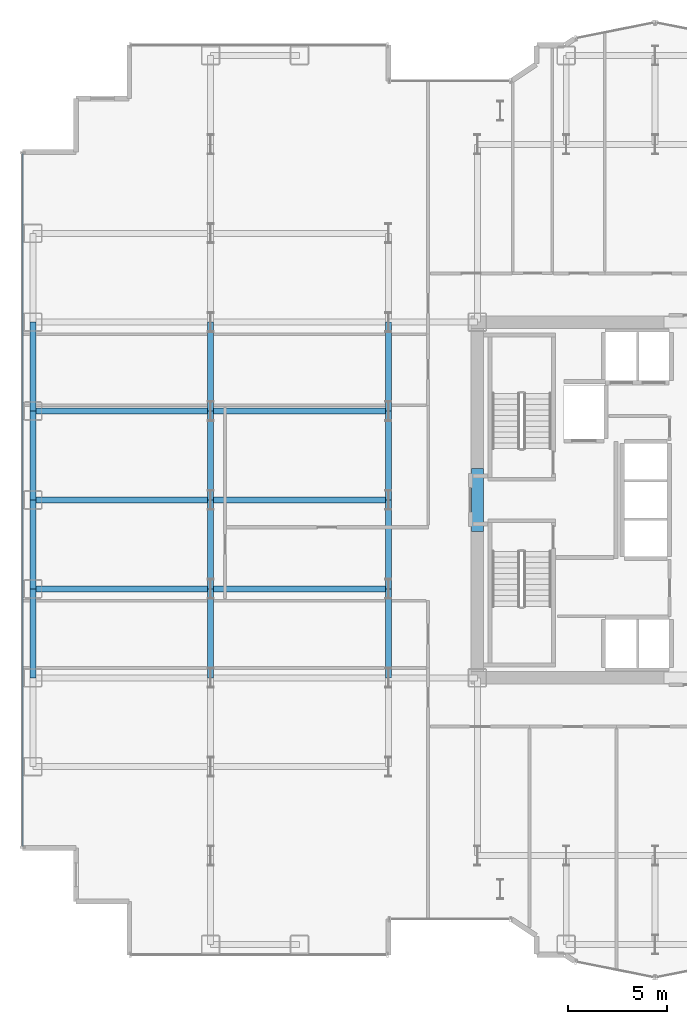
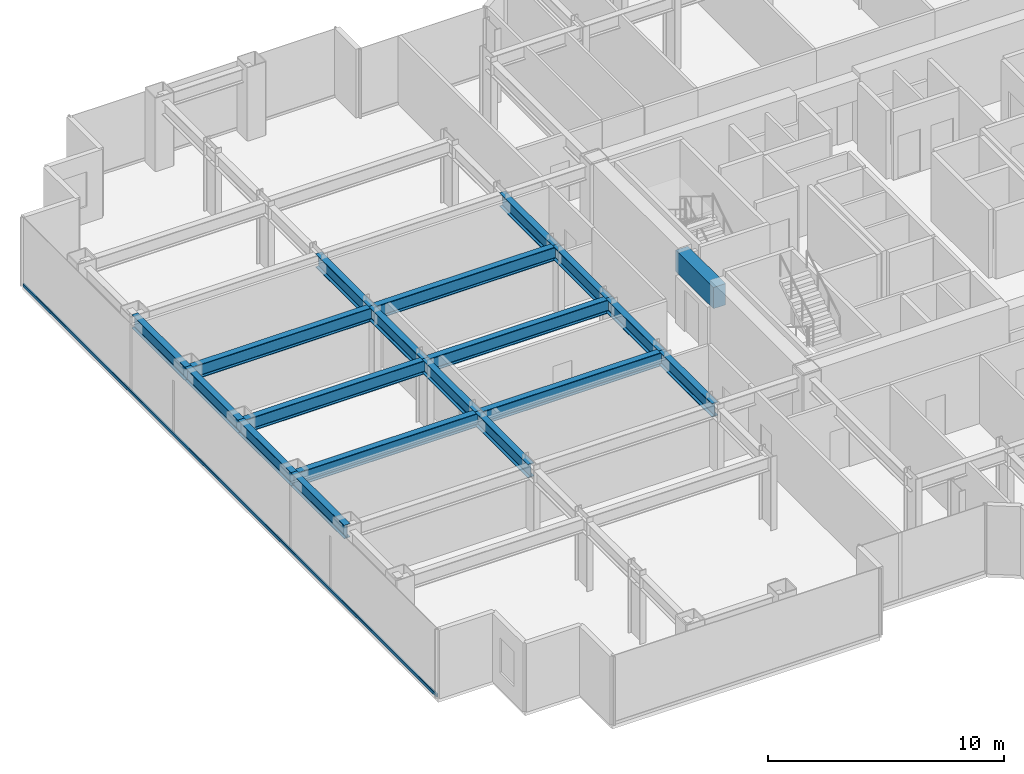
# One storey, part 5 of 25: 19 beams, 1 member, 1 element without a shape of its own.
"""IFC4 building model written with IfcOpenShell, lengths in metres."""

from ifc_helpers import new_model, si_unit, direction, frame, origin, origin_2d, place, context, subcontext, project, spatial, rectangle, hollow_rectangle, i_section, extrude, source, transform, mapped, material, layer, layer_set, material_profile, profile_set, type_object, element, aggregate, save


model = new_model("IFC4")

# Units and contexts
model_context = context("Model", 3, precision=1e-05, world=origin(), true_north=direction((0.0, 1.0)))
body_context = subcontext(model_context, "Body", "Model", "MODEL_VIEW")
ifc_project = project(units=[si_unit("LENGTHUNIT", "METRE"), si_unit("AREAUNIT", "SQUARE_METRE"), si_unit("VOLUMEUNIT", "CUBIC_METRE"), si_unit("PLANEANGLEUNIT", "RADIAN"), si_unit("MASSUNIT", "GRAM", prefix="KILO")], contexts=[model_context])

# Site, building, storey
site_placement = place(None, origin())
site = spatial("IfcSite", under=ifc_project, at=site_placement, CompositionType="ELEMENT")
building_placement = place(site_placement, origin())
building = spatial("IfcBuilding", under=site, at=building_placement, Name="Nefas-Gora Pilgrimage Tower", CompositionType="ELEMENT")
storey_placement = place(building_placement, frame((0.0, 0.0, 52.0)))
storey = spatial("IfcBuildingStorey", under=building, at=storey_placement, Name="L11", CompositionType="ELEMENT", Elevation=52.0)

# Beams
ifc_material_1 = material(Name="Concrete C60/75", Category="concrete")
ifc_material_profile_1 = material_profile(ifc_material_1, rectangle(XDim=0.60009765625, YDim=1.10009765625, at=origin_2d()), Name="RC 600x1100")
ifc_profile_set_1 = profile_set([ifc_material_profile_1], Name="Concrete C60/75")
beam_type_1 = type_object("IfcBeamType", Name="BM-LIN-RC1100", PredefinedType="LINTEL", material=ifc_profile_set_1)
shared_shape_1 = source(origin(), body_context, "Body", "SweptSolid", [
    extrude(rectangle(XDim=0.60009765625, YDim=1.10009765625, at=origin_2d()), origin(), (0.0, 0.0, 1.0), 3.2001953125),
])
beam_placement = place(storey_placement, frame((-11.25, -1.60009765625, 3.0), z_axis=(0.0, 1.0, 0.0), x_axis=(-1.0, 0.0, 0.0)))
element("IfcBeam", 1, at=beam_placement, inside=storey, type_object=beam_type_1, Name="L11 Core Coupling Lintel Beam W", PredefinedType="LINTEL", context=body_context, shape_type="MappedRepresentation", body=[
    mapped(shared_shape_1, transform((0.0, 0.0, 0.0), x_axis=(1.0, 0.0, 0.0), y_axis=(0.0, 1.0, 0.0), z_axis=(0.0, 0.0, 1.0), scale=1.0)),
])
ifc_material_2 = material(Name="Steel S355", Category="steel")
ifc_material_profile_2 = material_profile(ifc_material_2, i_section(OverallWidth=0.300048828125, OverallDepth=0.699951171875, WebThickness=0.01708984375, FlangeThickness=0.031982421875, FilletRadius=0.027099609375, at=origin_2d()), Name="HEB 700")
ifc_profile_set_2 = profile_set([ifc_material_profile_2], Name="Steel S355")
beam_type_2 = type_object("IfcBeamType", Name="BM-SPN-HEB600", PredefinedType="SPANDREL", material=ifc_profile_set_2)
shared_shape_2 = source(origin(), body_context, "Body", "SweptSolid", [
    extrude(i_section(OverallWidth=0.300048828125, OverallDepth=0.699951171875, WebThickness=0.01708984375, FlangeThickness=0.031982421875, FilletRadius=0.027099609375, at=origin_2d()), origin(), (0.0, 0.0, 1.0), 4.5),
])
for number, where, z_axis, x_axis, name in (
    (2, (-33.75, -9.0, 3.199951171875), (0.0, 1.0, 0.0), (-1.0, 0.0, 0.0), "L11 SP-01 beam"),
    (3, (-33.75, -4.5, 3.199951171875), (0.0, 1.0, 0.0), (-1.0, 0.0, 0.0), "L11 SP-01 beam"),
    (4, (-33.75, 0.0, 3.199951171875), (0.0, 1.0, 0.0), (-1.0, 0.0, 0.0), "L11 SP-01 beam"),
    (5, (-33.75, 4.5, 3.199951171875), (0.0, 1.0, 0.0), (-1.0, 0.0, 0.0), "L11 SP-01 beam"),
):
    element("IfcBeam", number, at=place(storey_placement, frame(where, z_axis=z_axis, x_axis=x_axis)), inside=storey, type_object=beam_type_2, Name=name, PredefinedType="SPANDREL", context=body_context, shape_type="MappedRepresentation", body=[
        mapped(shared_shape_2, transform((0.0, 0.0, 0.0), x_axis=(1.0, 0.0, 0.0), y_axis=(0.0, 1.0, 0.0), z_axis=(0.0, 0.0, 1.0), scale=1.0)),
    ])
ifc_material_profile_3 = material_profile(ifc_material_2, i_section(OverallWidth=0.300048828125, OverallDepth=0.699951171875, WebThickness=0.01708984375, FlangeThickness=0.031982421875, FilletRadius=0.027099609375, at=origin_2d()), Name="HEB 700")
ifc_profile_set_3 = profile_set([ifc_material_profile_3], Name="Steel S355")
beam_type_3 = type_object("IfcBeamType", Name="BM-GIR-HEB700", PredefinedType="BEAM", material=ifc_profile_set_3)
shared_shape_3 = source(origin(), body_context, "Body", "SweptSolid", [
    extrude(i_section(OverallWidth=0.300048828125, OverallDepth=0.699951171875, WebThickness=0.01708984375, FlangeThickness=0.031982421875, FilletRadius=0.027099609375, at=origin_2d()), origin(), (0.0, 0.0, 1.0), 9.0),
])
for number, where, z_axis, x_axis, name in (
    (6, (-33.75, -4.5, 3.199951171875), (1.0, 0.0, 0.0), (0.0, 1.0, 0.0), "L11 G-02 beam"),
    (7, (-33.75, 0.0, 3.199951171875), (1.0, 0.0, 0.0), (0.0, 1.0, 0.0), "L11 G-02 beam"),
    (8, (-33.75, 4.5, 3.199951171875), (1.0, 0.0, 0.0), (0.0, 1.0, 0.0), "L11 G-02 beam"),
    (9, (-24.75, -4.5, 3.199951171875), (1.0, 0.0, 0.0), (0.0, 1.0, 0.0), "L11 G-02 beam"),
    (10, (-24.75, 0.0, 3.199951171875), (1.0, 0.0, 0.0), (0.0, 1.0, 0.0), "L11 G-02 beam"),
    (11, (-24.75, 4.5, 3.199951171875), (1.0, 0.0, 0.0), (0.0, 1.0, 0.0), "L11 G-02 beam"),
):
    element("IfcBeam", number, at=place(storey_placement, frame(where, z_axis=z_axis, x_axis=x_axis)), inside=storey, type_object=beam_type_3, Name=name, PredefinedType="BEAM", context=body_context, shape_type="MappedRepresentation", body=[
        mapped(shared_shape_3, transform((0.0, 0.0, 0.0), x_axis=(1.0, 0.0, 0.0), y_axis=(0.0, 1.0, 0.0), z_axis=(0.0, 0.0, 1.0), scale=1.0)),
    ])
shared_shape_4 = source(origin(), body_context, "Body", "SweptSolid", [
    extrude(i_section(OverallWidth=0.300048828125, OverallDepth=0.699951171875, WebThickness=0.01708984375, FlangeThickness=0.031982421875, FilletRadius=0.027099609375, at=origin_2d()), origin(), (0.0, 0.0, 1.0), 4.5),
])
for number, where, z_axis, x_axis, name in (
    (12, (-24.75, -9.0, 3.199951171875), (0.0, 1.0, 0.0), (-1.0, 0.0, 0.0), "L11 G-02 beam"),
    (13, (-24.75, -4.5, 3.199951171875), (0.0, 1.0, 0.0), (-1.0, 0.0, 0.0), "L11 G-02 beam"),
    (14, (-24.75, 0.0, 3.199951171875), (0.0, 1.0, 0.0), (-1.0, 0.0, 0.0), "L11 G-02 beam"),
    (15, (-24.75, 4.5, 3.199951171875), (0.0, 1.0, 0.0), (-1.0, 0.0, 0.0), "L11 G-02 beam"),
    (16, (-15.75, -9.0, 3.199951171875), (0.0, 1.0, 0.0), (-1.0, 0.0, 0.0), "L11 G-02 beam"),
    (17, (-15.75, -4.5, 3.199951171875), (0.0, 1.0, 0.0), (-1.0, 0.0, 0.0), "L11 G-02 beam"),
    (18, (-15.75, 0.0, 3.199951171875), (0.0, 1.0, 0.0), (-1.0, 0.0, 0.0), "L11 G-02 beam"),
    (19, (-15.75, 4.5, 3.199951171875), (0.0, 1.0, 0.0), (-1.0, 0.0, 0.0), "L11 G-02 beam"),
):
    element("IfcBeam", number, at=place(storey_placement, frame(where, z_axis=z_axis, x_axis=x_axis)), inside=storey, type_object=beam_type_3, Name=name, PredefinedType="BEAM", context=body_context, shape_type="MappedRepresentation", body=[
        mapped(shared_shape_4, transform((0.0, 0.0, 0.0), x_axis=(1.0, 0.0, 0.0), y_axis=(0.0, 1.0, 0.0), z_axis=(0.0, 0.0, 1.0), scale=1.0)),
    ])

# Curtain wall, member
ifc_material_3 = material(Name="Dark ceramic-fritted solar-control aluminium-glass curtain wall", Category="aluminium")
ifc_layer = layer(ifc_material_3, 0.219970703125)
ifc_layer_set = layer_set([ifc_layer], Name="Dark ceramic-fritted solar-control aluminium-glass curtain wall")
curtain_wall_type = type_object("IfcCurtainWallType", Name="CW-SYS-2", PredefinedType="NOTDEFINED", material=ifc_layer_set)
curtain_wall_placement = place(storey_placement, origin())
curtain_wall = element("IfcCurtainWall", 20, at=curtain_wall_placement, inside=storey, type_object=curtain_wall_type, Name="L11 Unitised Curtain Wall CW2", PredefinedType="NOTDEFINED")
ifc_material_4 = material(Name="Anodised architectural aluminium", Category="aluminium")
ifc_material_profile_4 = material_profile(ifc_material_4, hollow_rectangle(XDim=0.080078125, YDim=0.159912109375, WallThickness=0.00439453125, InnerFilletRadius=0.00439453125, OuterFilletRadius=0.009033203125, at=origin_2d()), Name="ALU TRANSOM 80x160")
ifc_profile_set_4 = profile_set([ifc_material_profile_4], Name="Anodised architectural aluminium")
member_type = type_object("IfcMemberType", Name="CWM-TRN-2", PredefinedType="USERDEFINED", material=ifc_profile_set_4)
shared_shape_5 = source(origin(), body_context, "Body", "SweptSolid", [
    extrude(hollow_rectangle(XDim=0.080078125, YDim=0.159912109375, WallThickness=0.00439453125, InnerFilletRadius=0.00439453125, OuterFilletRadius=0.009033203125, at=origin_2d()), origin(), (0.0, 0.0, 1.0), 35.06005859375),
])
member_placement = place(storey_placement, frame((-34.27001953125, 17.530029296875, 0.050048828125), z_axis=(0.0, -1.0, 0.0), x_axis=(1.0, 0.0, 0.0)))
member = element("IfcMember", 21, at=member_placement, type_object=member_type, Name="CW2 Spandrel Transom", ObjectType="TRANSOM", PredefinedType="USERDEFINED", context=body_context, shape_type="MappedRepresentation", body=[
    mapped(shared_shape_5, transform((0.0, 0.0, 0.0), x_axis=(1.0, 0.0, 0.0), y_axis=(0.0, 1.0, 0.0), z_axis=(0.0, 0.0, 1.0), scale=1.0)),
])
aggregate(curtain_wall, [member])

save(model, "model.ifc")
